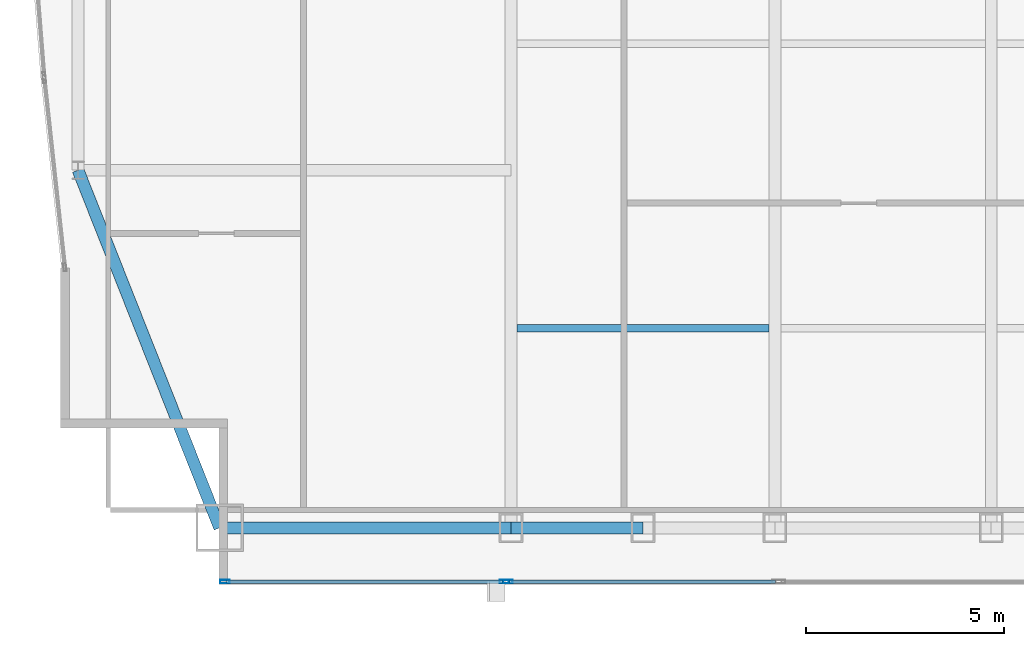
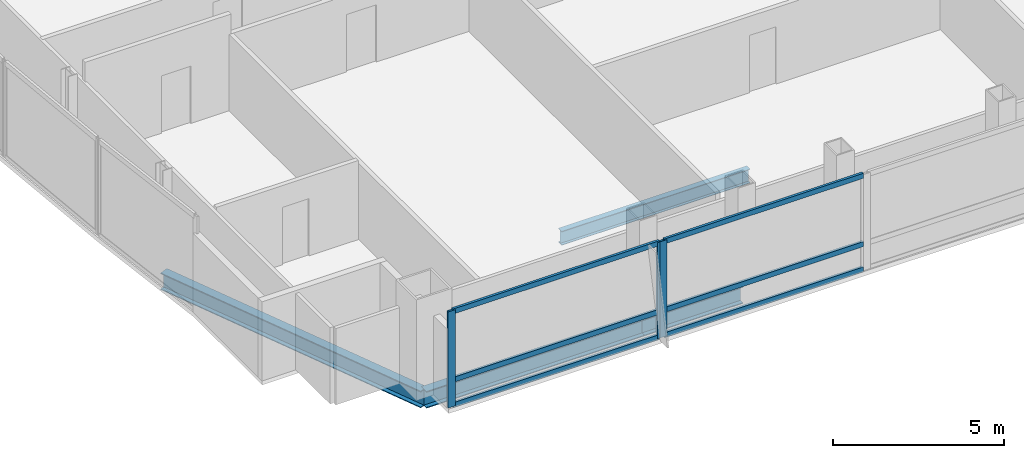
# One storey, part 5 of 32: 9 members, 4 beams, 2 elements without a shape of their own.
"""IFC4 building model written with IfcOpenShell, lengths in metres."""

from ifc_helpers import new_model, si_unit, direction, frame, origin, origin_2d, place, context, subcontext, project, spatial, hollow_rectangle, i_section, extrude, material, material_profile, profile_set, type_object, element, aggregate, save


model = new_model("IFC4")

# Units and contexts
model_context = context("Model", 3, precision=1e-05, world=origin(), true_north=direction((0.0, 1.0)))
body_context = subcontext(model_context, "Body", "Model", "MODEL_VIEW")
ifc_project = project(units=[si_unit("LENGTHUNIT", "METRE"), si_unit("AREAUNIT", "SQUARE_METRE"), si_unit("VOLUMEUNIT", "CUBIC_METRE"), si_unit("PLANEANGLEUNIT", "RADIAN"), si_unit("MASSUNIT", "GRAM", prefix="KILO")], contexts=[model_context])

# Site, building, storey
site_placement = place(None, origin())
site = spatial("IfcSite", under=ifc_project, at=site_placement, CompositionType="ELEMENT")
building_placement = place(site_placement, origin())
building = spatial("IfcBuilding", under=site, at=building_placement, Name="Khoronbel Lancet Exchange", CompositionType="ELEMENT")
storey_placement = place(building_placement, frame((0.0, 0.0, 192.199951171875)))
storey = spatial("IfcBuildingStorey", under=building, at=storey_placement, Name="L48", CompositionType="ELEMENT", Elevation=192.199951171875)

# Beams
ifc_material_1 = material(Name="Steel S355", Category="steel")
ifc_material_profile_1 = material_profile(ifc_material_1, i_section(OverallWidth=0.199951171875, OverallDepth=0.5, WebThickness=0.01025390625, FlangeThickness=0.01611328125, at=origin_2d()), Name="IPE 500")
ifc_profile_set_1 = profile_set([ifc_material_profile_1], Name="Steel S355")
beam_type_1 = type_object("IfcBeamType", Name="BM-BJ3", PredefinedType="JOIST", material=ifc_profile_set_1)
beam_1_placement = place(storey_placement, frame((18.375, 15.199951171875, -0.409912109375), z_axis=(1.0, 0.0, 0.0), x_axis=(0.0, 1.0, 0.0)))
element("IfcBeam", 1, at=beam_1_placement, inside=storey, type_object=beam_type_1, Name="Level L48 secondary composite joist J01", PredefinedType="JOIST", context=body_context, shape_type="SweptSolid", body=[
    extrude(i_section(OverallWidth=0.199951171875, OverallDepth=0.5, WebThickness=0.01025390625, FlangeThickness=0.01611328125, at=origin_2d()), origin(), (0.0, 0.0, 1.0), 6.375),
])
ifc_material_profile_2 = material_profile(ifc_material_1, i_section(OverallWidth=0.300048828125, OverallDepth=0.60009765625, WebThickness=0.015380859375, FlangeThickness=0.030029296875, at=origin_2d()), Name="HEB 600")
ifc_profile_set_2 = profile_set([ifc_material_profile_2], Name="Steel S355")
beam_type_2 = type_object("IfcBeamType", Name="BM-BSP2", PredefinedType="SPANDREL", material=ifc_profile_set_2)
beam_2_placement = place(storey_placement, frame((10.85009765625, 10.14990234375, -0.4599609375), z_axis=(1.0, 0.0, 0.0), x_axis=(0.0, 1.0, 0.0)))
element("IfcBeam", 2, at=beam_2_placement, inside=storey, type_object=beam_type_2, Name="Level L48 perimeter spandrel beam SP01", PredefinedType="SPANDREL", context=body_context, shape_type="SweptSolid", body=[
    extrude(i_section(OverallWidth=0.300048828125, OverallDepth=0.60009765625, WebThickness=0.015380859375, FlangeThickness=0.030029296875, at=origin_2d()), origin(), (0.0, 0.0, 1.0), 7.375),
])
beam_3_placement = place(storey_placement, frame((18.22509765625, 10.14990234375, -0.4599609375), z_axis=(1.0, 0.0, 0.0), x_axis=(0.0, 1.0, 0.0)))
element("IfcBeam", 3, at=beam_3_placement, inside=storey, type_object=beam_type_2, Name="Level L48 perimeter spandrel beam SP02", PredefinedType="SPANDREL", context=body_context, shape_type="SweptSolid", body=[
    extrude(i_section(OverallWidth=0.300048828125, OverallDepth=0.60009765625, WebThickness=0.015380859375, FlangeThickness=0.030029296875, at=origin_2d()), origin(), (0.0, 0.0, 1.0), 3.33740234375),
])
beam_4_placement = place(storey_placement, frame((7.27001953125, 19.199951171875, -0.4599609375), z_axis=(0.367850095026, -0.92988510451, 0.0), x_axis=(0.92988510451, 0.367850095026, 0.0)))
element("IfcBeam", 4, at=beam_4_placement, inside=storey, type_object=beam_type_2, Name="Level L48 perimeter spandrel beam SP21", PredefinedType="SPANDREL", context=body_context, shape_type="SweptSolid", body=[
    extrude(i_section(OverallWidth=0.300048828125, OverallDepth=0.60009765625, WebThickness=0.015380859375, FlangeThickness=0.030029296875, at=origin_2d()), origin(), (0.0, 0.0, 1.0), 9.732421875),
])

# Curtain wall, members
ifc_material_2 = material(Name="Low-E Solar Control Insulating Glass", Category="glass")
curtain_wall_type = type_object("IfcCurtainWallType", Name="CW-3", PredefinedType="NOTDEFINED", material=ifc_material_2)
curtain_wall_1_placement = place(storey_placement, origin())
curtain_wall_1 = element("IfcCurtainWall", 5, at=curtain_wall_1_placement, inside=storey, type_object=curtain_wall_type, Name="Unitised curtain wall CW-L48-SWV", PredefinedType="NOTDEFINED")
ifc_material_3 = material(Name="Bronze-Anodised Aluminium 6063-T6", Category="aluminium")
ifc_material_profile_3 = material_profile(ifc_material_3, hollow_rectangle(XDim=0.0849609375, YDim=0.239990234375, WallThickness=0.006103515625, at=origin_2d()), Name="ALU MULLION 85x240")
ifc_profile_set_3 = profile_set([ifc_material_profile_3], Name="Bronze-Anodised Aluminium 6063-T6")
member_type_1 = type_object("IfcMemberType", Name="MEM-CWM1", PredefinedType="MULLION", material=ifc_profile_set_3)
member_1_placement = place(storey_placement, frame((10.982421875, 8.7900390625, 0.0), z_axis=(0.0, 0.0, 1.0), x_axis=(0.0, 1.0, 0.0)))
member_1 = element("IfcMember", 6, at=member_1_placement, type_object=member_type_1, Name="CW3 mullion 1", PredefinedType="MULLION", context=body_context, shape_type="SweptSolid", body=[
    extrude(hollow_rectangle(XDim=0.0849609375, YDim=0.239990234375, WallThickness=0.006103515625, at=origin_2d()), origin(), (0.0, 0.0, 1.0), 3.43994140625),
])
member_2_placement = place(storey_placement, frame((18.0576171875, 8.7900390625, 0.0), z_axis=(0.0, 0.0, 1.0), x_axis=(0.0, 1.0, 0.0)))
member_2 = element("IfcMember", 7, at=member_2_placement, type_object=member_type_1, Name="CW3 mullion 2", PredefinedType="MULLION", context=body_context, shape_type="SweptSolid", body=[
    extrude(hollow_rectangle(XDim=0.0849609375, YDim=0.239990234375, WallThickness=0.006103515625, at=origin_2d()), origin(), (0.0, 0.0, 1.0), 3.43994140625),
])

# Curtain wall, member
curtain_wall_2_placement = place(storey_placement, origin())
curtain_wall_2 = element("IfcCurtainWall", 8, at=curtain_wall_2_placement, inside=storey, type_object=curtain_wall_type, Name="Unitised curtain wall CW-L48-SWB", PredefinedType="NOTDEFINED")
member_3_placement = place(storey_placement, frame((18.142578125, 8.7900390625, 0.0), z_axis=(0.0, 0.0, 1.0), x_axis=(0.0, 1.0, 0.0)))
member_3 = element("IfcMember", 9, at=member_3_placement, type_object=member_type_1, Name="CW3 mullion 1", PredefinedType="MULLION", context=body_context, shape_type="SweptSolid", body=[
    extrude(hollow_rectangle(XDim=0.0849609375, YDim=0.239990234375, WallThickness=0.006103515625, at=origin_2d()), origin(), (0.0, 0.0, 1.0), 3.43994140625),
])

# Member
ifc_material_profile_4 = material_profile(ifc_material_3, hollow_rectangle(XDim=0.0849609375, YDim=0.179931640625, WallThickness=0.0048828125, at=origin_2d()), Name="ALU TRANSOM 85x180")
ifc_profile_set_4 = profile_set([ifc_material_profile_4], Name="Bronze-Anodised Aluminium 6063-T6")
member_type_2 = type_object("IfcMemberType", Name="MEM-CWT1", PredefinedType="USERDEFINED", material=ifc_profile_set_4)
member_4_placement = place(storey_placement, frame((11.02490234375, 8.7900390625, 0.04248046875), z_axis=(1.0, 0.0, 0.0), x_axis=(0.0, 1.0, 0.0)))
member_4 = element("IfcMember", 10, at=member_4_placement, type_object=member_type_2, Name="CW3 transom 1.1", ObjectType="TRANSOM", PredefinedType="USERDEFINED", context=body_context, shape_type="SweptSolid", body=[
    extrude(hollow_rectangle(XDim=0.0849609375, YDim=0.179931640625, WallThickness=0.0048828125, at=origin_2d()), origin(), (0.0, 0.0, 1.0), 6.989990234375),
])

member_5_placement = place(storey_placement, frame((11.02490234375, 8.7900390625, 0.949951171875), z_axis=(1.0, 0.0, 0.0), x_axis=(0.0, 1.0, 0.0)))
member_5 = element("IfcMember", 11, at=member_5_placement, type_object=member_type_2, Name="CW3 transom 1.2", ObjectType="TRANSOM", PredefinedType="USERDEFINED", context=body_context, shape_type="SweptSolid", body=[
    extrude(hollow_rectangle(XDim=0.0849609375, YDim=0.179931640625, WallThickness=0.0048828125, at=origin_2d()), origin(), (0.0, 0.0, 1.0), 6.989990234375),
])

member_6_placement = place(storey_placement, frame((11.02490234375, 8.7900390625, 3.3974609375), z_axis=(1.0, 0.0, 0.0), x_axis=(0.0, 1.0, 0.0)))
member_6 = element("IfcMember", 12, at=member_6_placement, type_object=member_type_2, Name="CW3 transom 1.3", ObjectType="TRANSOM", PredefinedType="USERDEFINED", context=body_context, shape_type="SweptSolid", body=[
    extrude(hollow_rectangle(XDim=0.0849609375, YDim=0.179931640625, WallThickness=0.0048828125, at=origin_2d()), origin(), (0.0, 0.0, 1.0), 6.989990234375),
])

aggregate(curtain_wall_1, [member_1, member_2, member_4, member_5, member_6])

member_7_placement = place(storey_placement, frame((18.18505859375, 8.7900390625, 0.04248046875), z_axis=(1.0, 0.0, 0.0), x_axis=(0.0, 1.0, 0.0)))
member_7 = element("IfcMember", 13, at=member_7_placement, type_object=member_type_2, Name="CW3 transom 1.1", ObjectType="TRANSOM", PredefinedType="USERDEFINED", context=body_context, shape_type="SweptSolid", body=[
    extrude(hollow_rectangle(XDim=0.0849609375, YDim=0.179931640625, WallThickness=0.0048828125, at=origin_2d()), origin(), (0.0, 0.0, 1.0), 6.72998046875),
])

member_8_placement = place(storey_placement, frame((18.18505859375, 8.7900390625, 0.949951171875), z_axis=(1.0, 0.0, 0.0), x_axis=(0.0, 1.0, 0.0)))
member_8 = element("IfcMember", 14, at=member_8_placement, type_object=member_type_2, Name="CW3 transom 1.2", ObjectType="TRANSOM", PredefinedType="USERDEFINED", context=body_context, shape_type="SweptSolid", body=[
    extrude(hollow_rectangle(XDim=0.0849609375, YDim=0.179931640625, WallThickness=0.0048828125, at=origin_2d()), origin(), (0.0, 0.0, 1.0), 6.72998046875),
])

member_9_placement = place(storey_placement, frame((18.18505859375, 8.7900390625, 3.3974609375), z_axis=(1.0, 0.0, 0.0), x_axis=(0.0, 1.0, 0.0)))
member_9 = element("IfcMember", 15, at=member_9_placement, type_object=member_type_2, Name="CW3 transom 1.3", ObjectType="TRANSOM", PredefinedType="USERDEFINED", context=body_context, shape_type="SweptSolid", body=[
    extrude(hollow_rectangle(XDim=0.0849609375, YDim=0.179931640625, WallThickness=0.0048828125, at=origin_2d()), origin(), (0.0, 0.0, 1.0), 6.72998046875),
])

aggregate(curtain_wall_2, [member_3, member_7, member_8, member_9])

save(model, "model.ifc")
